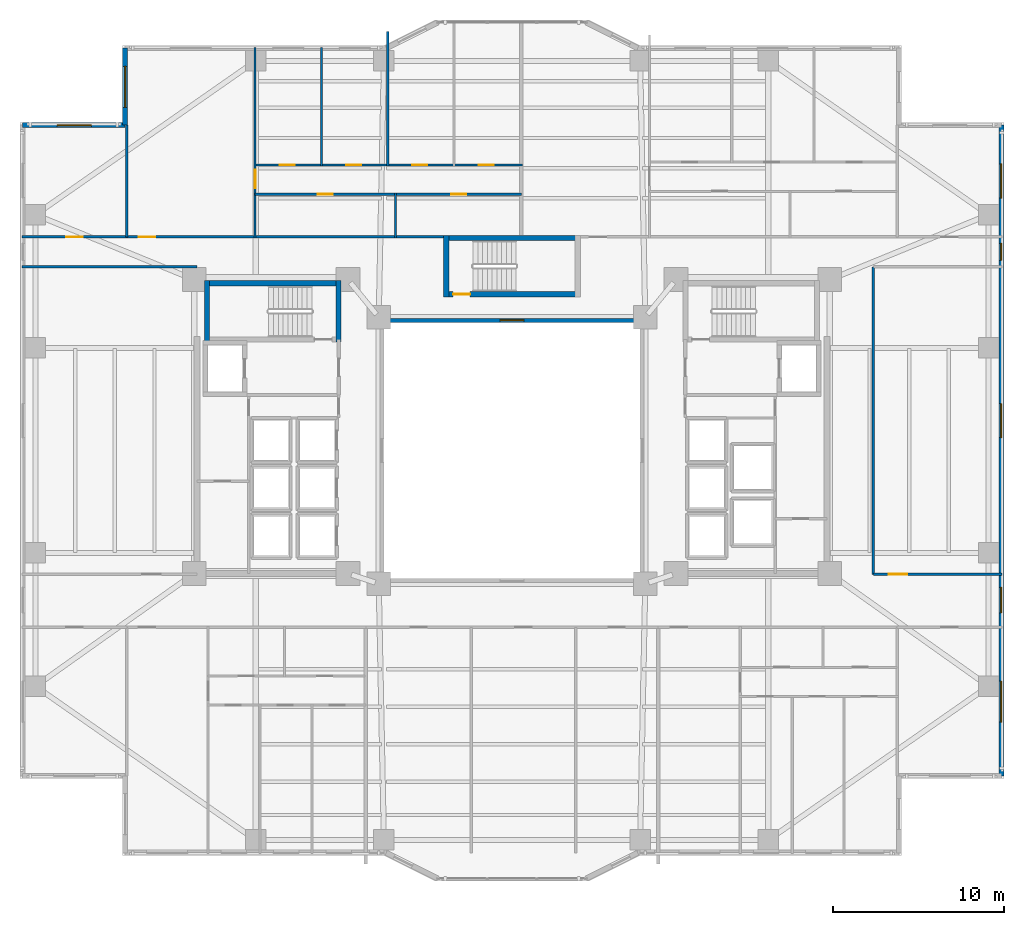
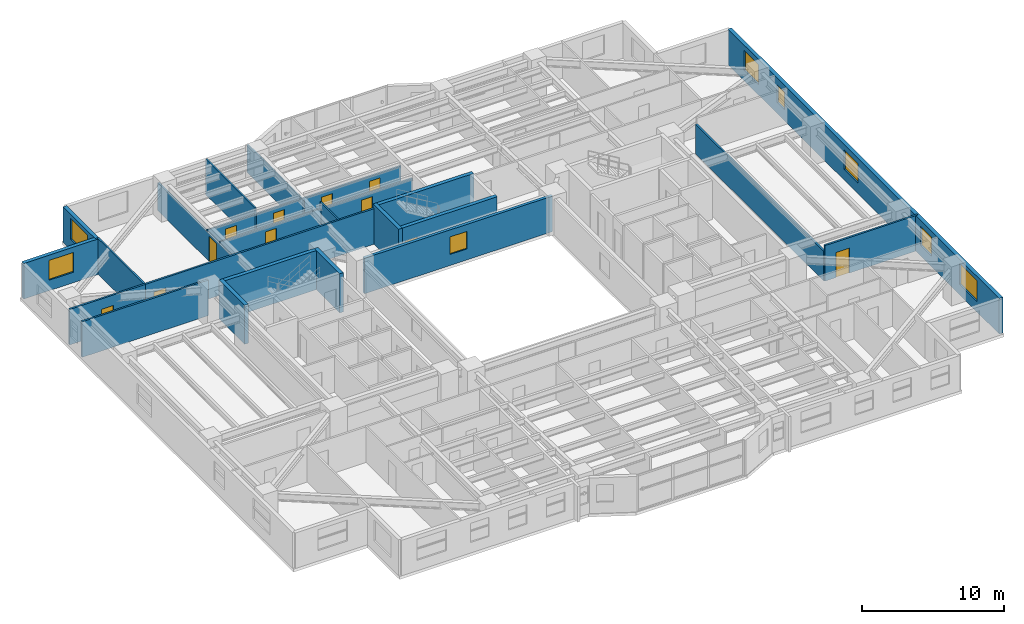
# One storey, part 13 of 20: 23 walls, 11 doors, 8 windows, 19 openings.
"""IFC4 building model written with IfcOpenShell, lengths in metres."""

from ifc_helpers import new_model, si_unit, direction, frame, frame_2d, origin, place, context, subcontext, project, spatial, rectangle, extrude, material, layer, layer_set, type_object, element, fill, save


model = new_model("IFC4")

# Units and contexts
model_context = context("Model", 3, precision=1e-05, world=origin(), true_north=direction((0.0, 1.0)))
body_context = subcontext(model_context, "Body", "Model", "MODEL_VIEW")
ifc_project = project(units=[si_unit("LENGTHUNIT", "METRE"), si_unit("AREAUNIT", "SQUARE_METRE"), si_unit("VOLUMEUNIT", "CUBIC_METRE"), si_unit("PLANEANGLEUNIT", "RADIAN"), si_unit("MASSUNIT", "GRAM", prefix="KILO")], contexts=[model_context])

# Site, building, storey
site_placement = place(None, origin())
site = spatial("IfcSite", under=ifc_project, at=site_placement, CompositionType="ELEMENT")
building_placement = place(site_placement, origin())
building = spatial("IfcBuilding", under=site, at=building_placement, Name="Tarnavaz Court Tower", CompositionType="ELEMENT")
storey_placement = place(building_placement, frame((0.0, 0.0, 60.85009765625)))
storey = spatial("IfcBuildingStorey", under=building, at=storey_placement, Name="L16", CompositionType="ELEMENT", Elevation=60.85009765625)

# Walls
ifc_material_1 = material(Name="Concrete C60/75", Category="concrete")
ifc_layer_1 = layer(ifc_material_1, 0.300048828125)
ifc_layer_set_1 = layer_set([ifc_layer_1], Name="Concrete C60/75")
wall_type_1 = type_object("IfcWallType", Name="WL-CORE-300-C60", PredefinedType="SHEAR", material=ifc_layer_set_1)
wall_1_placement = place(storey_placement, frame((-18.0, 9.7900390625, 0.0), z_axis=(0.0, 0.0, 1.0), x_axis=(1.0, 0.0, 0.0)))
element("IfcWall", 1, at=wall_1_placement, inside=storey, type_object=wall_type_1, Name="L16 West Stair Core Wall 001", PredefinedType="SHEAR", context=body_context, shape_type="SweptSolid", body=[
    extrude(rectangle(XDim=8.0, YDim=0.300048828125, at=frame_2d((4.0, 0.0))), origin(), (0.0, 0.0, 1.0), 3.349853515625),
])
for number, where, z_axis, x_axis, name in (
    (2, (-17.85009765625, 6.35009765625, 0.0), (0.0, 0.0, 1.0), (0.0, 1.0, 0.0), "L16 West Stair Core Wall 003"),
    (3, (-10.14990234375, 6.35009765625, 0.0), (0.0, 0.0, 1.0), (0.0, 1.0, 0.0), "L16 West Stair Core Wall 004"),
):
    element("IfcWall", number, at=place(storey_placement, frame(where, z_axis=z_axis, x_axis=x_axis)), inside=storey, type_object=wall_type_1, Name=name, PredefinedType="SHEAR", context=body_context, shape_type="SweptSolid", body=[
        extrude(rectangle(XDim=3.58984375, YDim=0.300048828125, at=frame_2d((1.794921875, 0.0))), origin(), (0.0, 0.0, 1.0), 3.349853515625),
    ])
wall_2_placement = place(storey_placement, frame((-4.0, 12.43994140625, 0.0), z_axis=(0.0, 0.0, 1.0), x_axis=(1.0, 0.0, 0.0)))
element("IfcWall", 4, at=wall_2_placement, inside=storey, type_object=wall_type_1, Name="L16 North Stair Core Wall 009", PredefinedType="SHEAR", context=body_context, shape_type="SweptSolid", body=[
    extrude(rectangle(XDim=8.0, YDim=0.300048828125, at=frame_2d((4.0, 0.0))), origin(), (0.0, 0.0, 1.0), 3.349853515625),
])

# Wall, opening, door
wall_3_placement = place(storey_placement, frame((-4.0, 9.14990234375, 0.0), z_axis=(0.0, 0.0, 1.0), x_axis=(1.0, 0.0, 0.0)))
wall_3 = element("IfcWall", 5, at=wall_3_placement, inside=storey, type_object=wall_type_1, Name="L16 North Stair Core Wall 010", PredefinedType="SHEAR", context=body_context, shape_type="SweptSolid", body=[
    extrude(rectangle(XDim=8.0, YDim=0.300048828125, at=frame_2d((4.0, 0.0))), origin(), (0.0, 0.0, 1.0), 3.349853515625),
])
opening_1_placement = place(wall_3_placement, frame((0.550048828125, 0.0, 0.0)))
opening_1 = element("IfcOpeningElement", 6, at=opening_1_placement, cuts=wall_3, Name="Opening D01", PredefinedType="OPENING", context=body_context, shape_type="SweptSolid", body=[
    extrude(rectangle(XDim=1.0, YDim=2.14990234375, at=frame_2d((0.5, 1.074951171875))), frame((0.0, 0.159912109375, 0.0), z_axis=(0.0, -1.0, 0.0), x_axis=(1.0, 0.0, 0.0)), (0.0, 0.0, 1.0), 0.320068359375),
])
ifc_material_2 = material(Name="Fire-Rated Hardwood Timber Core", Category="wood")
door_type_1 = type_object("IfcDoorType", Name="DR-FD90-1000", OperationType="NOTDEFINED", PredefinedType="DOOR", material=ifc_material_2)
door_1_placement = place(opening_1_placement, origin())
door_1 = element("IfcDoor", 7, at=door_1_placement, inside=storey, type_object=door_type_1, Name="L16 Stair ST-N1 Exit Door", OperationType="SINGLE_SWING_LEFT", OverallHeight=2.14990234375, OverallWidth=1.0, PredefinedType="DOOR", context=body_context, shape_type="SweptSolid", body=[
    extrude(rectangle(XDim=1.0, YDim=2.14990234375, at=frame_2d((0.5, 1.074951171875))), frame((0.0, 0.02490234375, 0.0), z_axis=(0.0, -1.0, 0.0), x_axis=(1.0, 0.0, 0.0)), (0.0, 0.0, 1.0), 0.050048828125),
])
fill(opening_1, door_1)

# Wall
wall_4_placement = place(storey_placement, frame((-3.85009765625, 9.0, 0.0), z_axis=(0.0, 0.0, 1.0), x_axis=(0.0, 1.0, 0.0)))
element("IfcWall", 8, at=wall_4_placement, inside=storey, type_object=wall_type_1, Name="L16 North Stair Core Wall 011", PredefinedType="SHEAR", context=body_context, shape_type="SweptSolid", body=[
    extrude(rectangle(XDim=3.590087890625, YDim=0.300048828125, at=frame_2d((1.794921875, 0.0))), origin(), (0.0, 0.0, 1.0), 3.349853515625),
])

# Wall, opening, window
ifc_material_3 = material(Name="Precast Concrete C40/50", Category="concrete")
ifc_layer_2 = layer(ifc_material_3, 0.300048828125)
ifc_layer_set_2 = layer_set([ifc_layer_2], Name="Precast Concrete C40/50")
wall_type_2 = type_object("IfcWallType", Name="WL-EXT-300", PredefinedType="SOLIDWALL", material=ifc_layer_set_2)
wall_5_placement = place(storey_placement, frame((-28.64990234375, 19.050048828125, 0.0), z_axis=(0.0, 0.0, 1.0), x_axis=(1.0, 0.0, 0.0)))
wall_5 = element("IfcWall", 9, at=wall_5_placement, inside=storey, type_object=wall_type_2, Name="L16 Exterior Terracotta Facade Wall 03", PredefinedType="SOLIDWALL", context=body_context, shape_type="SweptSolid", body=[
    extrude(rectangle(XDim=6.0, YDim=0.300048828125, at=frame_2d((3.0, 0.0))), origin(), (0.0, 0.0, 1.0), 3.0498046875),
])
opening_2_placement = place(wall_5_placement, frame((2.02490234375, 0.0, 0.89990234375)))
opening_2 = element("IfcOpeningElement", 10, at=opening_2_placement, cuts=wall_5, Name="Opening W08", PredefinedType="OPENING", context=body_context, shape_type="SweptSolid", body=[
    extrude(rectangle(XDim=2.0, YDim=1.699951171875, at=frame_2d((1.0, 0.85009765625))), frame((0.0, 0.159912109375, 0.0), z_axis=(0.0, -1.0, 0.0), x_axis=(1.0, 0.0, 0.0)), (0.0, 0.0, 1.0), 0.320068359375),
])
ifc_material_4 = material(Name="Double-Glazed Solar Low-E Glass", Category="glass")
window_type_1 = type_object("IfcWindowType", Name="WN-APT-2000", PartitioningType="DOUBLE_PANEL_VERTICAL", PredefinedType="WINDOW", material=ifc_material_4)
window_1_placement = place(opening_2_placement, origin())
window_1 = element("IfcWindow", 11, at=window_1_placement, inside=storey, type_object=window_type_1, Name="L16 North-West Corner Sunroom Study Window", OverallHeight=1.699951171875, OverallWidth=2.0, PartitioningType="SINGLE_PANEL", PredefinedType="WINDOW", context=body_context, shape_type="SweptSolid", body=[
    extrude(rectangle(XDim=2.0, YDim=1.699951171875, at=frame_2d((1.0, 0.85009765625))), frame((0.0, 0.030029296875, 0.0), z_axis=(0.0, -1.0, 0.0), x_axis=(1.0, 0.0, 0.0)), (0.0, 0.0, 1.0), 0.06005859375),
])
fill(opening_2, window_1)

wall_6_placement = place(storey_placement, frame((-22.64990234375, 19.050048828125, 0.0), z_axis=(0.0, 0.0, 1.0), x_axis=(0.0, 1.0, 0.0)))
wall_6 = element("IfcWall", 12, at=wall_6_placement, inside=storey, type_object=wall_type_2, Name="L16 Exterior Terracotta Facade Wall 04", PredefinedType="SOLIDWALL", context=body_context, shape_type="SweptSolid", body=[
    extrude(rectangle(XDim=4.5, YDim=0.300048828125, at=frame_2d((2.25, 0.0))), origin(), (0.0, 0.0, 1.0), 3.0498046875),
])
opening_3_placement = place(wall_6_placement, frame((1.032470703125, 0.0, 0.89990234375)))
opening_3 = element("IfcOpeningElement", 13, at=opening_3_placement, cuts=wall_6, Name="Opening W06", PredefinedType="OPENING", context=body_context, shape_type="SweptSolid", body=[
    extrude(rectangle(XDim=2.39990234375, YDim=1.800048828125, at=frame_2d((1.199951171875, 0.89990234375))), frame((0.0, 0.159912109375, 0.0), z_axis=(0.0, -1.0, 0.0), x_axis=(1.0, 0.0, 0.0)), (0.0, 0.0, 1.0), 0.320068359375),
])
window_type_2 = type_object("IfcWindowType", Name="WN-APT-2400", PartitioningType="TRIPLE_PANEL_VERTICAL", PredefinedType="WINDOW", material=ifc_material_4)
window_2_placement = place(opening_3_placement, origin())
window_2 = element("IfcWindow", 14, at=window_2_placement, inside=storey, type_object=window_type_2, Name="L16 Flat 01 Living and Dining Room Window", OverallHeight=1.800048828125, OverallWidth=2.39990234375, PartitioningType="SINGLE_PANEL", PredefinedType="WINDOW", context=body_context, shape_type="SweptSolid", body=[
    extrude(rectangle(XDim=2.39990234375, YDim=1.800048828125, at=frame_2d((1.199951171875, 0.89990234375))), frame((0.0, 0.030029296875, 0.0), z_axis=(0.0, -1.0, 0.0), x_axis=(1.0, 0.0, 0.0)), (0.0, 0.0, 1.0), 0.06005859375),
])
fill(opening_3, window_2)

# Wall, openings, windows
wall_7_placement = place(storey_placement, frame((28.64990234375, 19.050048828125, 0.0), z_axis=(0.0, 0.0, 1.0), x_axis=(0.0, -1.0, 0.0)))
wall_7 = element("IfcWall", 15, at=wall_7_placement, inside=storey, type_object=wall_type_2, Name="L16 Exterior Terracotta Facade Wall 12", PredefinedType="SOLIDWALL", context=body_context, shape_type="SweptSolid", body=[
    extrude(rectangle(XDim=38.10009765625, YDim=0.300048828125, at=frame_2d((19.050048828125, 0.0))), origin(), (0.0, 0.0, 1.0), 3.0498046875),
])
opening_4_placement = place(wall_7_placement, frame((2.27490234375, 0.0, 0.89990234375)))
opening_4 = element("IfcOpeningElement", 16, at=opening_4_placement, cuts=wall_7, Name="Opening W08", PredefinedType="OPENING", context=body_context, shape_type="SweptSolid", body=[
    extrude(rectangle(XDim=2.0, YDim=1.699951171875, at=frame_2d((1.0, 0.85009765625))), frame((0.0, 0.159912109375, 0.0), z_axis=(0.0, -1.0, 0.0), x_axis=(1.0, 0.0, 0.0)), (0.0, 0.0, 1.0), 0.320068359375),
])
opening_5_placement = place(wall_7_placement, frame((6.925048828125, 0.0, 0.949951171875)))
opening_5 = element("IfcOpeningElement", 17, at=opening_5_placement, cuts=wall_7, Name="Opening W14", PredefinedType="OPENING", context=body_context, shape_type="SweptSolid", body=[
    extrude(rectangle(XDim=1.0, YDim=1.5, at=frame_2d((0.5, 0.75))), frame((0.0, 0.159912109375, 0.0), z_axis=(0.0, -1.0, 0.0), x_axis=(1.0, 0.0, 0.0)), (0.0, 0.0, 1.0), 0.320068359375),
])
opening_6_placement = place(wall_7_placement, frame((16.300048828125, 0.0, 0.89990234375)))
opening_6 = element("IfcOpeningElement", 18, at=opening_6_placement, cuts=wall_7, Name="Opening W08", PredefinedType="OPENING", context=body_context, shape_type="SweptSolid", body=[
    extrude(rectangle(XDim=2.0, YDim=1.699951171875, at=frame_2d((1.0, 0.85009765625))), frame((0.0, 0.159912109375, 0.0), z_axis=(0.0, -1.0, 0.0), x_axis=(1.0, 0.0, 0.0)), (0.0, 0.0, 1.0), 0.320068359375),
])
opening_7_placement = place(wall_7_placement, frame((27.0576171875, 0.0, 0.89990234375)))
opening_7 = element("IfcOpeningElement", 19, at=opening_7_placement, cuts=wall_7, Name="Opening W03", PredefinedType="OPENING", context=body_context, shape_type="SweptSolid", body=[
    extrude(rectangle(XDim=1.5, YDim=1.64990234375, at=frame_2d((0.75, 0.824951171875))), frame((0.0, 0.159912109375, 0.0), z_axis=(0.0, -1.0, 0.0), x_axis=(1.0, 0.0, 0.0)), (0.0, 0.0, 1.0), 0.320068359375),
])
opening_8_placement = place(wall_7_placement, frame((32.550048828125, 0.0, 0.89990234375)))
opening_8 = element("IfcOpeningElement", 20, at=opening_8_placement, cuts=wall_7, Name="Opening W06", PredefinedType="OPENING", context=body_context, shape_type="SweptSolid", body=[
    extrude(rectangle(XDim=2.39990234375, YDim=1.800048828125, at=frame_2d((1.199951171875, 0.89990234375))), frame((0.0, 0.159912109375, 0.0), z_axis=(0.0, -1.0, 0.0), x_axis=(1.0, 0.0, 0.0)), (0.0, 0.0, 1.0), 0.320068359375),
])
window_type_3 = type_object("IfcWindowType", Name="WN-APT-1000", PartitioningType="SINGLE_PANEL", PredefinedType="WINDOW", material=ifc_material_4)
window_3_placement = place(opening_5_placement, origin())
window_3 = element("IfcWindow", 21, at=window_3_placement, inside=storey, type_object=window_type_3, Name="L16 North-East Corner Corridor Window", OverallHeight=1.5, OverallWidth=1.0, PartitioningType="SINGLE_PANEL", PredefinedType="WINDOW", context=body_context, shape_type="SweptSolid", body=[
    extrude(rectangle(XDim=1.0, YDim=1.5, at=frame_2d((0.5, 0.75))), frame((0.0, 0.030029296875, 0.0), z_axis=(0.0, -1.0, 0.0), x_axis=(1.0, 0.0, 0.0)), (0.0, 0.0, 1.0), 0.06005859375),
])
fill(opening_5, window_3)
window_type_4 = type_object("IfcWindowType", Name="WN-APT-1500", PartitioningType="DOUBLE_PANEL_VERTICAL", PredefinedType="WINDOW", material=ifc_material_4)
window_4_placement = place(opening_7_placement, origin())
window_4 = element("IfcWindow", 22, at=window_4_placement, inside=storey, type_object=window_type_4, Name="L16 South-East Corner Corridor Window", OverallHeight=1.64990234375, OverallWidth=1.5, PartitioningType="SINGLE_PANEL", PredefinedType="WINDOW", context=body_context, shape_type="SweptSolid", body=[
    extrude(rectangle(XDim=1.5, YDim=1.64990234375, at=frame_2d((0.75, 0.824951171875))), frame((0.0, 0.030029296875, 0.0), z_axis=(0.0, -1.0, 0.0), x_axis=(1.0, 0.0, 0.0)), (0.0, 0.0, 1.0), 0.06005859375),
])
fill(opening_7, window_4)
window_5_placement = place(opening_4_placement, origin())
window_5 = element("IfcWindow", 23, at=window_5_placement, inside=storey, type_object=window_type_1, Name="L16 North-East Corner Sunroom Study Window", OverallHeight=1.699951171875, OverallWidth=2.0, PartitioningType="SINGLE_PANEL", PredefinedType="WINDOW", context=body_context, shape_type="SweptSolid", body=[
    extrude(rectangle(XDim=2.0, YDim=1.699951171875, at=frame_2d((1.0, 0.85009765625))), frame((0.0, 0.030029296875, 0.0), z_axis=(0.0, -1.0, 0.0), x_axis=(1.0, 0.0, 0.0)), (0.0, 0.0, 1.0), 0.06005859375),
])
fill(opening_4, window_5)
window_6_placement = place(opening_6_placement, origin())
window_6 = element("IfcWindow", 24, at=window_6_placement, inside=storey, type_object=window_type_1, Name="L16 East Wing Resident Fitness Lounge Window", OverallHeight=1.699951171875, OverallWidth=2.0, PartitioningType="SINGLE_PANEL", PredefinedType="WINDOW", context=body_context, shape_type="SweptSolid", body=[
    extrude(rectangle(XDim=2.0, YDim=1.699951171875, at=frame_2d((1.0, 0.85009765625))), frame((0.0, 0.030029296875, 0.0), z_axis=(0.0, -1.0, 0.0), x_axis=(1.0, 0.0, 0.0)), (0.0, 0.0, 1.0), 0.06005859375),
])
fill(opening_6, window_6)
window_7_placement = place(opening_8_placement, origin())
window_7 = element("IfcWindow", 25, at=window_7_placement, inside=storey, type_object=window_type_2, Name="L16 South-East Corner Reading Room Window", OverallHeight=1.800048828125, OverallWidth=2.39990234375, PartitioningType="SINGLE_PANEL", PredefinedType="WINDOW", context=body_context, shape_type="SweptSolid", body=[
    extrude(rectangle(XDim=2.39990234375, YDim=1.800048828125, at=frame_2d((1.199951171875, 0.89990234375))), frame((0.0, 0.030029296875, 0.0), z_axis=(0.0, -1.0, 0.0), x_axis=(1.0, 0.0, 0.0)), (0.0, 0.0, 1.0), 0.06005859375),
])
fill(opening_8, window_7)

# Wall, opening, door
ifc_material_5 = material(Name="Gypsum Fire-Board on Acoustic Metal Stud", Category="masonry")
ifc_layer_3 = layer(ifc_material_5, 0.14990234375)
ifc_layer_set_3 = layer_set([ifc_layer_3], Name="Gypsum Fire-Board on Acoustic Metal Stud")
wall_type_3 = type_object("IfcWallType", Name="WL-FIRE-150", PredefinedType="PARTITIONING", material=ifc_layer_set_3)
wall_8_placement = place(storey_placement, frame((-22.550048828125, 12.5, 0.0), z_axis=(0.0, 0.0, 1.0), x_axis=(1.0, 0.0, 0.0)))
wall_8 = element("IfcWall", 26, at=wall_8_placement, inside=storey, type_object=wall_type_3, Name="L16 NW Wing Corridor Wall 081", PredefinedType="PARTITIONING", context=body_context, shape_type="SweptSolid", body=[
    extrude(rectangle(XDim=18.699951171875, YDim=0.14990234375, at=frame_2d((9.35009765625, 0.0))), origin(), (0.0, 0.0, 1.0), 3.0498046875),
])
opening_9_placement = place(wall_8_placement, frame((0.699951171875, 0.0, 0.0)))
opening_9 = element("IfcOpeningElement", 27, at=opening_9_placement, cuts=wall_8, Name="Opening D06", PredefinedType="OPENING", context=body_context, shape_type="SweptSolid", body=[
    extrude(rectangle(XDim=0.9599609375, YDim=2.14990234375, at=frame_2d((0.47998046875, 1.074951171875))), frame((0.0, 0.0849609375, 0.0), z_axis=(0.0, -1.0, 0.0), x_axis=(1.0, 0.0, 0.0)), (0.0, 0.0, 1.0), 0.169921875),
])
door_type_2 = type_object("IfcDoorType", Name="DR-FD60-950", OperationType="NOTDEFINED", PredefinedType="DOOR", material=ifc_material_2)
door_2_placement = place(opening_9_placement, origin())
door_2 = element("IfcDoor", 28, at=door_2_placement, inside=storey, type_object=door_type_2, Name="L16 Flat 01 Entrance Door", OperationType="SINGLE_SWING_LEFT", OverallHeight=2.14990234375, OverallWidth=0.9599609375, PredefinedType="DOOR", context=body_context, shape_type="SweptSolid", body=[
    extrude(rectangle(XDim=0.9599609375, YDim=2.14990234375, at=frame_2d((0.47998046875, 1.074951171875))), frame((0.0, 0.02490234375, 0.0), z_axis=(0.0, -1.0, 0.0), x_axis=(1.0, 0.0, 0.0)), (0.0, 0.0, 1.0), 0.050048828125),
])
fill(opening_9, door_2)

# Walls
wall_9_placement = place(storey_placement, frame((21.14990234375, -7.25, 0.0), z_axis=(0.0, 0.0, 1.0), x_axis=(0.0, 1.0, 0.0)))
element("IfcWall", 29, at=wall_9_placement, inside=storey, type_object=wall_type_3, Name="L16 East Outer Link Wall 083", PredefinedType="PARTITIONING", context=body_context, shape_type="SweptSolid", body=[
    extrude(rectangle(XDim=18.0, YDim=0.14990234375, at=frame_2d((9.0, 0.0))), origin(), (0.0, 0.0, 1.0), 2.534912109375),
])
wall_10_placement = place(storey_placement, frame((-28.679931640625, 10.75, 0.0), z_axis=(0.0, 0.0, 1.0), x_axis=(1.0, 0.0, 0.0)))
element("IfcWall", 30, at=wall_10_placement, inside=storey, type_object=wall_type_3, Name="L16 Interior Partition 122", PredefinedType="PARTITIONING", context=body_context, shape_type="SweptSolid", body=[
    extrude(rectangle(XDim=10.22998046875, YDim=0.14990234375, at=frame_2d((5.114990234375, 0.0))), origin(), (0.0, 0.0, 1.0), 3.0498046875),
])

# Wall, opening, door
wall_11_placement = place(storey_placement, frame((21.14990234375, -7.25, 0.0), z_axis=(0.0, 0.0, 1.0), x_axis=(1.0, 0.0, 0.0)))
wall_11 = element("IfcWall", 31, at=wall_11_placement, inside=storey, type_object=wall_type_3, Name="L16 Interior Partition 123", PredefinedType="PARTITIONING", context=body_context, shape_type="SweptSolid", body=[
    extrude(rectangle(XDim=7.530029296875, YDim=0.14990234375, at=frame_2d((3.76513671875, 0.0))), origin(), (0.0, 0.0, 1.0), 3.0498046875),
])
opening_10_placement = place(wall_11_placement, frame((0.89990234375, 0.0, 0.0)))
opening_10 = element("IfcOpeningElement", 32, at=opening_10_placement, cuts=wall_11, Name="Opening D12", PredefinedType="OPENING", context=body_context, shape_type="SweptSolid", body=[
    extrude(rectangle(XDim=1.080078125, YDim=2.14990234375, at=frame_2d((0.5400390625, 1.074951171875))), frame((0.0, 0.0849609375, 0.0), z_axis=(0.0, -1.0, 0.0), x_axis=(1.0, 0.0, 0.0)), (0.0, 0.0, 1.0), 0.169921875),
])
ifc_material_6 = material(Name="Engineered Oak Timber", Category="wood")
door_type_3 = type_object("IfcDoorType", Name="DR-INT-1100", OperationType="NOTDEFINED", PredefinedType="DOOR", material=ifc_material_6)
door_3_placement = place(opening_10_placement, origin())
door_3 = element("IfcDoor", 33, at=door_3_placement, inside=storey, type_object=door_type_3, Name="L16 East Fitness Lounge Door", OperationType="SINGLE_SWING_RIGHT", OverallHeight=2.14990234375, OverallWidth=1.080078125, PredefinedType="DOOR", context=body_context, shape_type="SweptSolid", body=[
    extrude(rectangle(XDim=1.080078125, YDim=2.14990234375, at=frame_2d((0.5400390625, 1.074951171875))), frame((0.0, 0.02490234375, 0.0), z_axis=(0.0, -1.0, 0.0), x_axis=(1.0, 0.0, 0.0)), (0.0, 0.0, 1.0), 0.050048828125),
])
fill(opening_10, door_3)

wall_12_placement = place(storey_placement, frame((-28.679931640625, 12.5, 0.0), z_axis=(0.0, 0.0, 1.0), x_axis=(1.0, 0.0, 0.0)))
wall_12 = element("IfcWall", 34, at=wall_12_placement, inside=storey, type_object=wall_type_3, Name="L16 Interior Partition 129", PredefinedType="PARTITIONING", context=body_context, shape_type="SweptSolid", body=[
    extrude(rectangle(XDim=6.1298828125, YDim=0.14990234375, at=frame_2d((3.06494140625, 0.0))), origin(), (0.0, 0.0, 1.0), 3.0498046875),
])
opening_11_placement = place(wall_12_placement, frame((2.590087890625, 0.0, 0.0)))
opening_11 = element("IfcOpeningElement", 35, at=opening_11_placement, cuts=wall_12, Name="Opening D13", PredefinedType="OPENING", context=body_context, shape_type="SweptSolid", body=[
    extrude(rectangle(XDim=0.949951171875, YDim=2.14990234375, at=frame_2d((0.47509765625, 1.074951171875))), frame((0.0, 0.0849609375, 0.0), z_axis=(0.0, -1.0, 0.0), x_axis=(1.0, 0.0, 0.0)), (0.0, 0.0, 1.0), 0.169921875),
])
door_type_4 = type_object("IfcDoorType", Name="DR-INT-950", OperationType="NOTDEFINED", PredefinedType="DOOR", material=ifc_material_6)
door_4_placement = place(opening_11_placement, origin())
door_4 = element("IfcDoor", 36, at=door_4_placement, inside=storey, type_object=door_type_4, Name="L16 NW Sunroom Door", OperationType="SINGLE_SWING_LEFT", OverallHeight=2.14990234375, OverallWidth=0.949951171875, PredefinedType="DOOR", context=body_context, shape_type="SweptSolid", body=[
    extrude(rectangle(XDim=0.949951171875, YDim=2.14990234375, at=frame_2d((0.47509765625, 1.074951171875))), frame((0.0, 0.02490234375, 0.0), z_axis=(0.0, -1.0, 0.0), x_axis=(1.0, 0.0, 0.0)), (0.0, 0.0, 1.0), 0.050048828125),
])
fill(opening_11, door_4)

ifc_material_7 = material(Name="Moisture-Resistant Gypsum Board Partition", Category="masonry")
ifc_layer_4 = layer(ifc_material_7, 0.1201171875)
ifc_layer_set_4 = layer_set([ifc_layer_4], Name="Moisture-Resistant Gypsum Board Partition")
wall_type_4 = type_object("IfcWallType", Name="WL-PART-120", PredefinedType="PARTITIONING", material=ifc_layer_set_4)
wall_13_placement = place(storey_placement, frame((-15.034912109375, 12.43994140625, 0.0), z_axis=(0.0, 0.0, 1.0), x_axis=(0.0, 1.0, 0.0)))
wall_13 = element("IfcWall", 37, at=wall_13_placement, inside=storey, type_object=wall_type_4, Name="L16 Interior Partition 088", PredefinedType="PARTITIONING", context=body_context, shape_type="SweptSolid", body=[
    extrude(rectangle(XDim=11.16015625, YDim=0.1201171875, at=frame_2d((5.580078125, 0.0))), origin(), (0.0, 0.0, 1.0), 2.385009765625),
])
opening_12_placement = place(wall_13_placement, frame((2.905029296875, 0.0, 0.0)))
opening_12 = element("IfcOpeningElement", 38, at=opening_12_placement, cuts=wall_13, Name="Opening D12", PredefinedType="OPENING", context=body_context, shape_type="SweptSolid", body=[
    extrude(rectangle(XDim=1.080078125, YDim=2.14990234375, at=frame_2d((0.5400390625, 1.074951171875))), frame((0.0, 0.070068359375, 0.0), z_axis=(0.0, -1.0, 0.0), x_axis=(1.0, 0.0, 0.0)), (0.0, 0.0, 1.0), 0.14013671875),
])
door_5_placement = place(opening_12_placement, origin())
door_5 = element("IfcDoor", 39, at=door_5_placement, inside=storey, type_object=door_type_3, Name="L16 Flat 01 Foyer Door", OperationType="SINGLE_SWING_RIGHT", OverallHeight=2.14990234375, OverallWidth=1.080078125, PredefinedType="DOOR", context=body_context, shape_type="SweptSolid", body=[
    extrude(rectangle(XDim=1.080078125, YDim=2.14990234375, at=frame_2d((0.5400390625, 1.074951171875))), frame((0.0, 0.02490234375, 0.0), z_axis=(0.0, -1.0, 0.0), x_axis=(1.0, 0.0, 0.0)), (0.0, 0.0, 1.0), 0.050048828125),
])
fill(opening_12, door_5)

wall_14_placement = place(storey_placement, frame((-15.034912109375, 15.0, 0.0), z_axis=(0.0, 0.0, 1.0), x_axis=(1.0, 0.0, 0.0)))
wall_14 = element("IfcWall", 40, at=wall_14_placement, inside=storey, type_object=wall_type_4, Name="L16 Interior Partition 089", PredefinedType="PARTITIONING", context=body_context, shape_type="SweptSolid", body=[
    extrude(rectangle(XDim=8.22802734375, YDim=0.1201171875, at=frame_2d((4.114013671875, 0.0))), origin(), (0.0, 0.0, 1.0), 2.534912109375),
])
opening_13_placement = place(wall_14_placement, frame((3.674072265625, 0.0, 0.0)))
opening_13 = element("IfcOpeningElement", 41, at=opening_13_placement, cuts=wall_14, Name="Opening D14", PredefinedType="OPENING", context=body_context, shape_type="SweptSolid", body=[
    extrude(rectangle(XDim=0.8798828125, YDim=2.10009765625, at=frame_2d((0.43994140625, 1.050048828125))), frame((0.0, 0.070068359375, 0.0), z_axis=(0.0, -1.0, 0.0), x_axis=(1.0, 0.0, 0.0)), (0.0, 0.0, 1.0), 0.14013671875),
])
door_type_5 = type_object("IfcDoorType", Name="DR-INT-900", OperationType="NOTDEFINED", PredefinedType="DOOR", material=ifc_material_6)
door_6_placement = place(opening_13_placement, origin())
door_6 = element("IfcDoor", 42, at=door_6_placement, inside=storey, type_object=door_type_5, Name="L16 Flat 01 Kitchen Door", OperationType="SINGLE_SWING_LEFT", OverallHeight=2.10009765625, OverallWidth=0.8798828125, PredefinedType="DOOR", context=body_context, shape_type="SweptSolid", body=[
    extrude(rectangle(XDim=0.8798828125, YDim=2.10009765625, at=frame_2d((0.43994140625, 1.050048828125))), frame((0.0, 0.02490234375, 0.0), z_axis=(0.0, -1.0, 0.0), x_axis=(1.0, 0.0, 0.0)), (0.0, 0.0, 1.0), 0.050048828125),
])
fill(opening_13, door_6)

wall_15_placement = place(storey_placement, frame((-6.806884765625, 15.0, 0.0), z_axis=(0.0, 0.0, 1.0), x_axis=(1.0, 0.0, 0.0)))
wall_15 = element("IfcWall", 43, at=wall_15_placement, inside=storey, type_object=wall_type_4, Name="L16 Interior Partition 090", PredefinedType="PARTITIONING", context=body_context, shape_type="SweptSolid", body=[
    extrude(rectangle(XDim=7.35693359375, YDim=0.1201171875, at=frame_2d((3.678466796875, 0.0))), origin(), (0.0, 0.0, 1.0), 2.534912109375),
])
opening_14_placement = place(wall_15_placement, frame((3.239013671875, 0.0, 0.0)))
opening_14 = element("IfcOpeningElement", 44, at=opening_14_placement, cuts=wall_15, Name="Opening D14", PredefinedType="OPENING", context=body_context, shape_type="SweptSolid", body=[
    extrude(rectangle(XDim=0.8798828125, YDim=2.10009765625, at=frame_2d((0.43994140625, 1.050048828125))), frame((0.0, 0.070068359375, 0.0), z_axis=(0.0, -1.0, 0.0), x_axis=(1.0, 0.0, 0.0)), (0.0, 0.0, 1.0), 0.14013671875),
])
door_7_placement = place(opening_14_placement, origin())
door_7 = element("IfcDoor", 45, at=door_7_placement, inside=storey, type_object=door_type_5, Name="L16 Flat 01 Bathroom Door", OperationType="SINGLE_SWING_RIGHT", OverallHeight=2.10009765625, OverallWidth=0.8798828125, PredefinedType="DOOR", context=body_context, shape_type="SweptSolid", body=[
    extrude(rectangle(XDim=0.8798828125, YDim=2.10009765625, at=frame_2d((0.43994140625, 1.050048828125))), frame((0.0, 0.02490234375, 0.0), z_axis=(0.0, -1.0, 0.0), x_axis=(1.0, 0.0, 0.0)), (0.0, 0.0, 1.0), 0.050048828125),
])
fill(opening_14, door_7)

# Wall, openings, doors
wall_16_placement = place(storey_placement, frame((-15.094970703125, 16.7099609375, 0.0), z_axis=(0.0, 0.0, 1.0), x_axis=(1.0, 0.0, 0.0)))
wall_16 = element("IfcWall", 46, at=wall_16_placement, inside=storey, type_object=wall_type_4, Name="L16 Interior Partition 091", PredefinedType="PARTITIONING", context=body_context, shape_type="SweptSolid", body=[
    extrude(rectangle(XDim=15.705078125, YDim=0.1201171875, at=frame_2d((7.8525390625, 0.0))), origin(), (0.0, 0.0, 1.0), 2.534912109375),
])
opening_15_placement = place(wall_16_placement, frame((1.5009765625, 0.0, 0.0)))
opening_15 = element("IfcOpeningElement", 47, at=opening_15_placement, cuts=wall_16, Name="Opening D14", PredefinedType="OPENING", context=body_context, shape_type="SweptSolid", body=[
    extrude(rectangle(XDim=0.8798828125, YDim=2.10009765625, at=frame_2d((0.43994140625, 1.050048828125))), frame((0.0, 0.070068359375, 0.0), z_axis=(0.0, -1.0, 0.0), x_axis=(1.0, 0.0, 0.0)), (0.0, 0.0, 1.0), 0.14013671875),
])
opening_16_placement = place(wall_16_placement, frame((5.382080078125, 0.0, 0.0)))
opening_16 = element("IfcOpeningElement", 48, at=opening_16_placement, cuts=wall_16, Name="Opening D14", PredefinedType="OPENING", context=body_context, shape_type="SweptSolid", body=[
    extrude(rectangle(XDim=0.8798828125, YDim=2.10009765625, at=frame_2d((0.43994140625, 1.050048828125))), frame((0.0, 0.070068359375, 0.0), z_axis=(0.0, -1.0, 0.0), x_axis=(1.0, 0.0, 0.0)), (0.0, 0.0, 1.0), 0.14013671875),
])
opening_17_placement = place(wall_16_placement, frame((9.262939453125, 0.0, 0.0)))
opening_17 = element("IfcOpeningElement", 49, at=opening_17_placement, cuts=wall_16, Name="Opening D14", PredefinedType="OPENING", context=body_context, shape_type="SweptSolid", body=[
    extrude(rectangle(XDim=0.8798828125, YDim=2.10009765625, at=frame_2d((0.43994140625, 1.050048828125))), frame((0.0, 0.070068359375, 0.0), z_axis=(0.0, -1.0, 0.0), x_axis=(1.0, 0.0, 0.0)), (0.0, 0.0, 1.0), 0.14013671875),
])
opening_18_placement = place(wall_16_placement, frame((13.14404296875, 0.0, 0.0)))
opening_18 = element("IfcOpeningElement", 50, at=opening_18_placement, cuts=wall_16, Name="Opening D14", PredefinedType="OPENING", context=body_context, shape_type="SweptSolid", body=[
    extrude(rectangle(XDim=0.8798828125, YDim=2.10009765625, at=frame_2d((0.43994140625, 1.050048828125))), frame((0.0, 0.070068359375, 0.0), z_axis=(0.0, -1.0, 0.0), x_axis=(1.0, 0.0, 0.0)), (0.0, 0.0, 1.0), 0.14013671875),
])
door_8_placement = place(opening_15_placement, origin())
door_8 = element("IfcDoor", 51, at=door_8_placement, inside=storey, type_object=door_type_5, Name="L16 Flat 01 Bedroom 1 Door", OperationType="SINGLE_SWING_LEFT", OverallHeight=2.10009765625, OverallWidth=0.8798828125, PredefinedType="DOOR", context=body_context, shape_type="SweptSolid", body=[
    extrude(rectangle(XDim=0.8798828125, YDim=2.10009765625, at=frame_2d((0.43994140625, 1.050048828125))), frame((0.0, 0.02490234375, 0.0), z_axis=(0.0, -1.0, 0.0), x_axis=(1.0, 0.0, 0.0)), (0.0, 0.0, 1.0), 0.050048828125),
])
fill(opening_15, door_8)
door_9_placement = place(opening_16_placement, origin())
door_9 = element("IfcDoor", 52, at=door_9_placement, inside=storey, type_object=door_type_5, Name="L16 Flat 01 Bedroom 2 Door", OperationType="SINGLE_SWING_RIGHT", OverallHeight=2.10009765625, OverallWidth=0.8798828125, PredefinedType="DOOR", context=body_context, shape_type="SweptSolid", body=[
    extrude(rectangle(XDim=0.8798828125, YDim=2.10009765625, at=frame_2d((0.43994140625, 1.050048828125))), frame((0.0, 0.02490234375, 0.0), z_axis=(0.0, -1.0, 0.0), x_axis=(1.0, 0.0, 0.0)), (0.0, 0.0, 1.0), 0.050048828125),
])
fill(opening_16, door_9)
door_10_placement = place(opening_17_placement, origin())
door_10 = element("IfcDoor", 53, at=door_10_placement, inside=storey, type_object=door_type_5, Name="L16 Flat 01 Bedroom 3 Door", OperationType="SINGLE_SWING_LEFT", OverallHeight=2.10009765625, OverallWidth=0.8798828125, PredefinedType="DOOR", context=body_context, shape_type="SweptSolid", body=[
    extrude(rectangle(XDim=0.8798828125, YDim=2.10009765625, at=frame_2d((0.43994140625, 1.050048828125))), frame((0.0, 0.02490234375, 0.0), z_axis=(0.0, -1.0, 0.0), x_axis=(1.0, 0.0, 0.0)), (0.0, 0.0, 1.0), 0.050048828125),
])
fill(opening_17, door_10)
door_11_placement = place(opening_18_placement, origin())
door_11 = element("IfcDoor", 54, at=door_11_placement, inside=storey, type_object=door_type_5, Name="L16 Flat 01 Bedroom 4 Door", OperationType="SINGLE_SWING_RIGHT", OverallHeight=2.10009765625, OverallWidth=0.8798828125, PredefinedType="DOOR", context=body_context, shape_type="SweptSolid", body=[
    extrude(rectangle(XDim=0.8798828125, YDim=2.10009765625, at=frame_2d((0.43994140625, 1.050048828125))), frame((0.0, 0.02490234375, 0.0), z_axis=(0.0, -1.0, 0.0), x_axis=(1.0, 0.0, 0.0)), (0.0, 0.0, 1.0), 0.050048828125),
])
fill(opening_18, door_11)

# Walls
wall_17_placement = place(storey_placement, frame((-6.806884765625, 12.43994140625, 0.0), z_axis=(0.0, 0.0, 1.0), x_axis=(0.0, 1.0, 0.0)))
element("IfcWall", 55, at=wall_17_placement, inside=storey, type_object=wall_type_4, Name="L16 Interior Partition 092", PredefinedType="PARTITIONING", context=body_context, shape_type="SweptSolid", body=[
    extrude(rectangle(XDim=2.6201171875, YDim=0.1201171875, at=frame_2d((1.31005859375, 0.0))), origin(), (0.0, 0.0, 1.0), 3.0498046875),
])
wall_18_placement = place(storey_placement, frame((-11.154052734375, 16.64990234375, 0.0), z_axis=(0.0, 0.0, 1.0), x_axis=(0.0, 1.0, 0.0)))
element("IfcWall", 56, at=wall_18_placement, inside=storey, type_object=wall_type_4, Name="L16 Interior Partition 093", PredefinedType="PARTITIONING", context=body_context, shape_type="SweptSolid", body=[
    extrude(rectangle(XDim=6.9501953125, YDim=0.1201171875, at=frame_2d((3.47509765625, 0.0))), origin(), (0.0, 0.0, 1.0), 3.0498046875),
])
wall_19_placement = place(storey_placement, frame((-7.27197265625, 16.64990234375, 0.0), z_axis=(0.0, 0.0, 1.0), x_axis=(0.0, 1.0, 0.0)))
element("IfcWall", 57, at=wall_19_placement, inside=storey, type_object=wall_type_4, Name="L16 Interior Partition 094", PredefinedType="PARTITIONING", context=body_context, shape_type="SweptSolid", body=[
    extrude(rectangle(XDim=7.8701171875, YDim=0.1201171875, at=frame_2d((3.93505859375, 0.0))), origin(), (0.0, 0.0, 1.0), 2.385009765625),
])
ifc_material_8 = material(Name="Gypsum Plasterboard Acoustic Partition", Category="masonry")
ifc_layer_5 = layer(ifc_material_8, 0.139892578125)
ifc_layer_set_5 = layer_set([ifc_layer_5], Name="Gypsum Plasterboard Acoustic Partition")
wall_type_5 = type_object("IfcWallType", Name="WL-PART-150", PredefinedType="PARTITIONING", material=ifc_layer_set_5)
wall_20_placement = place(storey_placement, frame((-22.550048828125, 12.5, 0.0), z_axis=(0.0, 0.0, 1.0), x_axis=(0.0, 1.0, 0.0)))
element("IfcWall", 58, at=wall_20_placement, inside=storey, type_object=wall_type_5, Name="L16 Interior Partition 127", PredefinedType="PARTITIONING", context=body_context, shape_type="SweptSolid", body=[
    extrude(rectangle(XDim=6.550048828125, YDim=0.139892578125, at=frame_2d((3.27490234375, 0.0))), origin(), (0.0, 0.0, 1.0), 3.0498046875),
])

# Wall, opening, window
ifc_layer_6 = layer(ifc_material_3, 0.239990234375)
ifc_layer_set_6 = layer_set([ifc_layer_6], Name="Precast Concrete C40/50")
wall_type_6 = type_object("IfcWallType", Name="WL-WELL-240", PredefinedType="SOLIDWALL", material=ifc_layer_set_6)
wall_21_placement = place(storey_placement, frame((7.6201171875, 7.6201171875, 0.0), z_axis=(0.0, 0.0, 1.0), x_axis=(-1.0, 0.0, 0.0)))
wall_21 = element("IfcWall", 59, at=wall_21_placement, inside=storey, type_object=wall_type_6, Name="L16 Badgir Light-Well Exterior Wall N", PredefinedType="SOLIDWALL", context=body_context, shape_type="SweptSolid", body=[
    extrude(rectangle(XDim=15.240234375, YDim=0.239990234375, at=frame_2d((7.6201171875, 0.0))), origin(), (0.0, 0.0, 1.0), 3.0498046875),
])
opening_19_placement = place(wall_21_placement, frame((6.919921875, 0.0, 0.949951171875)))
opening_19 = element("IfcOpeningElement", 60, at=opening_19_placement, cuts=wall_21, Name="Opening W13", PredefinedType="OPENING", context=body_context, shape_type="SweptSolid", body=[
    extrude(rectangle(XDim=1.39990234375, YDim=1.5, at=frame_2d((0.699951171875, 0.75))), frame((0.0, 0.1298828125, 0.0), z_axis=(0.0, -1.0, 0.0), x_axis=(1.0, 0.0, 0.0)), (0.0, 0.0, 1.0), 0.260009765625),
])
window_type_5 = type_object("IfcWindowType", Name="WN-WEL-1400", PartitioningType="SINGLE_PANEL", PredefinedType="WINDOW", material=ifc_material_4)
window_8_placement = place(opening_19_placement, origin())
window_8 = element("IfcWindow", 61, at=window_8_placement, inside=storey, type_object=window_type_5, Name="L16 Courtyard Gallery Window N", OverallHeight=1.5, OverallWidth=1.39990234375, PartitioningType="SINGLE_PANEL", PredefinedType="WINDOW", context=body_context, shape_type="SweptSolid", body=[
    extrude(rectangle(XDim=1.39990234375, YDim=1.5, at=frame_2d((0.699951171875, 0.75))), frame((0.0, 0.030029296875, 0.0), z_axis=(0.0, -1.0, 0.0), x_axis=(1.0, 0.0, 0.0)), (0.0, 0.0, 1.0), 0.06005859375),
])
fill(opening_19, window_8)

save(model, "model.ifc")
